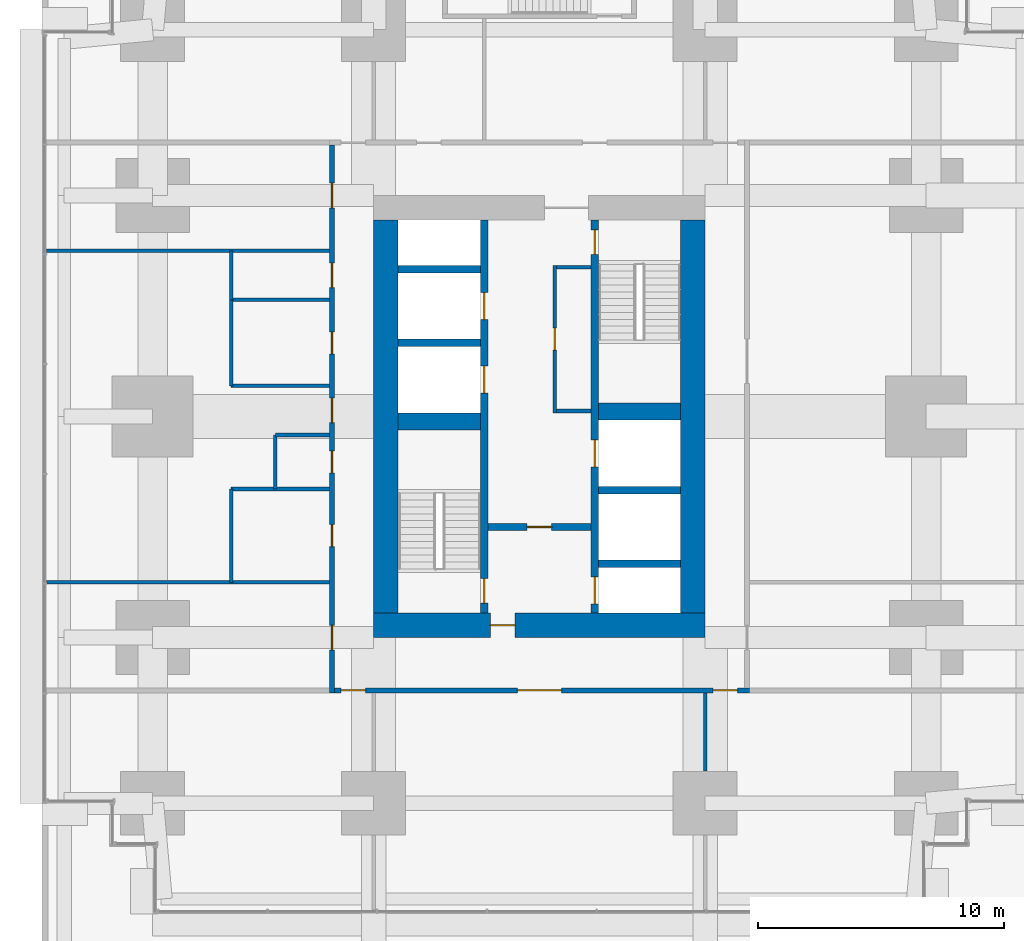
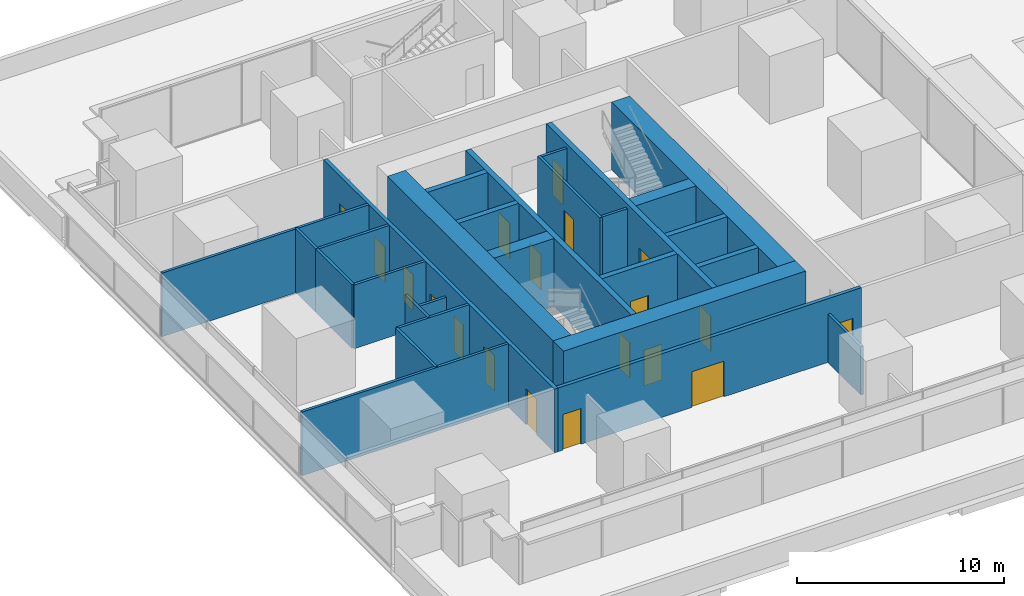
# One storey, part 24 of 34: 28 walls, 19 doors, 19 openings.
"""IFC4 building model written with IfcOpenShell, lengths in metres."""

import ifcopenshell
import ifcopenshell.guid

model = None  # the IFC model being written
_history = None  # IfcOwnerHistory: only IFC2X3 demands one
_inside = {}  # id of a spatial element -> (the spatial element, [elements in it])
_under = {}  # id of a project, library or spatial element -> (it, [spatial elements below it])
_declared = {}  # id of a project -> (the project, [libraries it declares])
_typed = {}  # id of a type object -> (the type object, [elements of that type])
_made_of = {}  # id of a material, layer set ... -> (it, [elements and type objects made of it])


def new_model(schema):
    """Start an empty IFC model of exactly this schema.

    Asked for "IFC4X3", IfcOpenShell would pick the latest addendum, in which some entities
    have other attributes; the version numbers below select the first issue.
    IFC2X3 requires an IfcOwnerHistory on every rooted entity: one is made here for all.
    """
    global model, _history
    if schema == "IFC4X3":
        model = ifcopenshell.file(schema_version=(4, 3, 0, 0))
    else:
        model = ifcopenshell.file(schema=schema)
    _inside.clear()
    _under.clear()
    _declared.clear()
    _typed.clear()
    _made_of.clear()
    _history = None
    if model.schema == "IFC2X3":
        org = make("IfcOrganization", Name="unknown")
        user = make(
            "IfcPersonAndOrganization",
            ThePerson=make("IfcPerson", FamilyName="unknown"),
            TheOrganization=org,
        )
        app = make(
            "IfcApplication",
            ApplicationDeveloper=org,
            Version="unknown",
            ApplicationFullName="unknown",
            ApplicationIdentifier="unknown",
        )
        _history = make(
            "IfcOwnerHistory",
            OwningUser=user,
            OwningApplication=app,
            ChangeAction="ADDED",
            CreationDate=0,
        )
    return model


def make(cls, **values):
    """One entity of the class cls with the attributes given. An attribute that is None is left unset."""
    return model.create_entity(
        cls, **{name: value for name, value in values.items() if value is not None}
    )


def rooted(cls, **values):
    """An entity with a GlobalId (a new one), such as an element, a storey or a relation."""
    return make(cls, GlobalId=ifcopenshell.guid.new(), OwnerHistory=_history, **values)


def si_unit(unit_type, name, prefix=None):
    """IfcSIUnit, for example si_unit("LENGTHUNIT", "METRE", prefix="MILLI")."""
    return make("IfcSIUnit", UnitType=unit_type, Prefix=prefix, Name=name)


def assignment(units):
    """IfcUnitAssignment: the units of a project."""
    return None if units is None else make("IfcUnitAssignment", Units=units)


def point(xyz):
    """IfcCartesianPoint."""
    return None if xyz is None else make("IfcCartesianPoint", Coordinates=xyz)


def direction(xyz):
    """IfcDirection."""
    return None if xyz is None else make("IfcDirection", DirectionRatios=xyz)


def frame(location, z_axis=None, x_axis=None):
    """IfcAxis2Placement3D, a coordinate frame: its origin and axes. An axis left out is left unset."""
    return make(
        "IfcAxis2Placement3D",
        Location=point(location),
        Axis=direction(z_axis),
        RefDirection=direction(x_axis),
    )


def frame_2d(location, x_axis=None):
    """IfcAxis2Placement2D, a coordinate frame in the plane: its origin and x axis."""
    return make(
        "IfcAxis2Placement2D", Location=point(location), RefDirection=direction(x_axis)
    )


def origin():
    """The frame at (0, 0, 0) with its axes left unset."""
    return frame((0.0, 0.0, 0.0))


def place(relative_to, where):
    """IfcLocalPlacement: puts the frame where relative to a parent placement (None: the world)."""
    return make(
        "IfcLocalPlacement", PlacementRelTo=relative_to, RelativePlacement=where
    )


def context(
    kind, dimensions, precision=None, world=None, true_north=None, identifier=None
):
    """IfcGeometricRepresentationContext, for example the 3D "Model" context."""
    return make(
        "IfcGeometricRepresentationContext",
        ContextIdentifier=identifier,
        ContextType=kind,
        CoordinateSpaceDimension=dimensions,
        Precision=precision,
        WorldCoordinateSystem=world,
        TrueNorth=true_north,
    )


def subcontext(parent, identifier, kind, view, scale=None):
    """IfcGeometricRepresentationSubContext, for example "Body" below "Model"."""
    return make(
        "IfcGeometricRepresentationSubContext",
        ContextIdentifier=identifier,
        ContextType=kind,
        ParentContext=parent,
        TargetScale=scale,
        TargetView=view,
    )


def project(units=None, contexts=None):
    """IfcProject with its units and contexts."""
    return rooted(
        "IfcProject",
        Name="project",
        RepresentationContexts=contexts,
        UnitsInContext=assignment(units),
    )


def spatial(cls, under=None, at=None, **own):
    """A site, building, storey or space (cls), placed at a placement, below another one or the project."""
    s = rooted(cls, ObjectPlacement=at, **own)
    if under is not None:
        _under.setdefault(under.id(), (under, []))[1].append(s)
    return s


def profile(cls, at=None, kind="AREA", **sizes):
    """A parametric profile (cls). Its sizes go by their IFC names, for example OverallWidth=200.0."""
    return make(cls, ProfileType=kind, Position=at, **sizes)


def rectangle(**sizes):
    """IfcRectangleProfileDef."""
    return profile("IfcRectangleProfileDef", **sizes)


def extrude(swept, where, along, depth):
    """IfcExtrudedAreaSolid: the profile swept, set in the frame where, extruded along a direction by depth."""
    return make(
        "IfcExtrudedAreaSolid",
        SweptArea=swept,
        Position=where,
        ExtrudedDirection=direction(along),
        Depth=depth,
    )


def shape(context_of_items, identifier, shape_type, items):
    """IfcShapeRepresentation: the items that make up one representation, for example the "Body"."""
    return make(
        "IfcShapeRepresentation",
        ContextOfItems=context_of_items,
        RepresentationIdentifier=identifier,
        RepresentationType=shape_type,
        Items=items,
    )


def material(Name=None, Category=None):
    """IfcMaterial."""
    return make("IfcMaterial", Name=Name, Category=Category)


def layer(
    of_material, thickness, ventilated=None, Name=None, Category=None, Priority=None
):
    """IfcMaterialLayer: one layer of a wall or slab, of a material (None: an air gap)."""
    return make(
        "IfcMaterialLayer",
        Material=of_material,
        LayerThickness=thickness,
        IsVentilated=ventilated,
        Name=Name,
        Category=Category,
        Priority=Priority,
    )


def layer_set(layers, Name=None):
    """IfcMaterialLayerSet."""
    return make("IfcMaterialLayerSet", MaterialLayers=layers, LayerSetName=Name)


def made_of(thing, what):
    """Note that an element or type object is made of a material, layer set ...; save() writes the relation."""
    if what is not None:
        _made_of.setdefault(what.id(), (what, []))[1].append(thing)
    return thing


def type_object(cls, material=None, **own):
    """A type object (cls), such as IfcWallType, which elements share."""
    return made_of(rooted(cls, **own), material)


def element(
    cls,
    number,
    at=None,
    inside=None,
    cuts=None,
    type_object=None,
    material=None,
    context=None,
    identifier="Body",
    shape_type=None,
    held_by="IfcProductDefinitionShape",
    body=None,
    shapes=None,
    **own,
):
    """One element of the class cls, such as IfcWall. Its Tag is "e" and its number.

    at: its placement. inside: the storey or other place that contains it. cuts: it is an
    opening in that element (IfcRelVoidsElement). A single representation is given by context,
    identifier, shape_type and body (its items); several are given by shapes. held_by: the class
    of the entity that holds the representations. save() writes the other relations.
    """
    e = rooted(cls, Tag="e%d" % number, ObjectPlacement=at, **own)
    if body is not None:
        shapes = [shape(context, identifier, shape_type, body)]
    if shapes is not None:
        e.Representation = make(held_by, Representations=shapes)
    if inside is not None:
        _inside.setdefault(inside.id(), (inside, []))[1].append(e)
    if cuts is not None:
        rooted(
            "IfcRelVoidsElement", RelatingBuildingElement=cuts, RelatedOpeningElement=e
        )
    if type_object is not None:
        _typed.setdefault(type_object.id(), (type_object, []))[1].append(e)
    return made_of(e, material)


def fill(opening, filler):
    """IfcRelFillsElement: the door or window that sits in an opening."""
    return rooted(
        "IfcRelFillsElement",
        RelatingOpeningElement=opening,
        RelatedBuildingElement=filler,
    )


def aggregate(whole, parts):
    """IfcRelAggregates: a whole, such as a stair, and the parts it consists of."""
    return rooted("IfcRelAggregates", RelatingObject=whole, RelatedObjects=parts)


def save(model, path):
    """Write the relations noted so far, then the file.

    IfcRelAggregates (storeys below a building ...), IfcRelContainedInSpatialStructure (elements
    in a storey), IfcRelDefinesByType, IfcRelAssociatesMaterial and IfcRelDeclares: one each for
    every whole, place, type object, material and project.
    """
    for whole, parts in _under.values():
        aggregate(whole, parts)
    for where, things in _inside.values():
        rooted(
            "IfcRelContainedInSpatialStructure",
            RelatedElements=things,
            RelatingStructure=where,
        )
    for kind, things in _typed.values():
        rooted("IfcRelDefinesByType", RelatedObjects=things, RelatingType=kind)
    for what, things in _made_of.values():
        rooted("IfcRelAssociatesMaterial", RelatedObjects=things, RelatingMaterial=what)
    for by, libraries in _declared.values():
        rooted("IfcRelDeclares", RelatingContext=by, RelatedDefinitions=libraries)
    model.write(path)


model = new_model("IFC4")

# Units and contexts
model_context = context("Model", 3, precision=1e-05, world=origin(), true_north=direction((0.0, 1.0)))
body_context = subcontext(model_context, "Body", "Model", "MODEL_VIEW")
ifc_project = project(units=[si_unit("LENGTHUNIT", "METRE"), si_unit("AREAUNIT", "SQUARE_METRE"), si_unit("VOLUMEUNIT", "CUBIC_METRE"), si_unit("PLANEANGLEUNIT", "RADIAN"), si_unit("MASSUNIT", "GRAM", prefix="KILO")], contexts=[model_context])

# Site, building, storey
site_placement = place(None, origin())
site = spatial("IfcSite", under=ifc_project, at=site_placement, CompositionType="ELEMENT")
building_placement = place(site_placement, origin())
building = spatial("IfcBuilding", under=site, at=building_placement, Name="Namib Vertical Campus", CompositionType="ELEMENT")
storey_placement = place(building_placement, frame((0.0, 0.0, 21.0)))
storey = spatial("IfcBuildingStorey", under=building, at=storey_placement, Name="L04", CompositionType="ELEMENT", Elevation=21.0)

# Wall, openings, doors
ifc_material_1 = material(Name="Concrete C60/75", Category="concrete")
ifc_layer_1 = layer(ifc_material_1, 0.300048828125)
ifc_layer_set_1 = layer_set([ifc_layer_1], Name="Concrete C60/75")
wall_type_1 = type_object("IfcWallType", Name="Core inner wall 300", PredefinedType="SHEAR", material=ifc_layer_set_1)
wall_1_placement = place(storey_placement, frame((18.0, 12.25, 0.0), z_axis=(0.0, 0.0, 1.0), x_axis=(0.0, 1.0, 0.0)))
wall_1 = element("IfcWall", 1, at=wall_1_placement, inside=storey, type_object=wall_type_1, Name="Core inner wall A L04 W1", PredefinedType="SHEAR", context=body_context, shape_type="SweptSolid", body=[
    extrude(rectangle(XDim=16.0, YDim=0.300048828125, at=frame_2d((8.0, 0.0))), origin(), (0.0, 0.0, 1.0), 4.0),
])
opening_1_placement = place(wall_1_placement, frame((0.39990234375, 0.0, 0.0)))
opening_1 = element("IfcOpeningElement", 2, at=opening_1_placement, cuts=wall_1, Name="Opening FD1", PredefinedType="OPENING", context=body_context, shape_type="SweptSolid", body=[
    extrude(rectangle(XDim=1.0, YDim=2.10009765625, at=frame_2d((0.5, 1.050048828125))), frame((0.0, 0.159912109375, 0.0), z_axis=(0.0, -1.0, 0.0), x_axis=(1.0, 0.0, 0.0)), (0.0, 0.0, 1.0), 0.320068359375),
])
opening_2_placement = place(wall_1_placement, frame((8.949951171875, 0.0, 0.0)))
opening_2 = element("IfcOpeningElement", 3, at=opening_2_placement, cuts=wall_1, Name="Opening LD1", PredefinedType="OPENING", context=body_context, shape_type="SweptSolid", body=[
    extrude(rectangle(XDim=1.10009765625, YDim=2.10009765625, at=frame_2d((0.550048828125, 1.050048828125))), frame((0.0, 0.159912109375, 0.0), z_axis=(0.0, -1.0, 0.0), x_axis=(1.0, 0.0, 0.0)), (0.0, 0.0, 1.0), 0.320068359375),
])
opening_3_placement = place(wall_1_placement, frame((11.949951171875, 0.0, 0.0)))
opening_3 = element("IfcOpeningElement", 4, at=opening_3_placement, cuts=wall_1, Name="Opening LD1", PredefinedType="OPENING", context=body_context, shape_type="SweptSolid", body=[
    extrude(rectangle(XDim=1.10009765625, YDim=2.10009765625, at=frame_2d((0.550048828125, 1.050048828125))), frame((0.0, 0.159912109375, 0.0), z_axis=(0.0, -1.0, 0.0), x_axis=(1.0, 0.0, 0.0)), (0.0, 0.0, 1.0), 0.320068359375),
])
ifc_material_2 = material(Name="Steel fire door", Category="steel")
door_type_1 = type_object("IfcDoorType", Name="Fire door 1000x2100", OperationType="SINGLE_SWING_RIGHT", PredefinedType="DOOR", material=ifc_material_2)
door_1_placement = place(opening_1_placement, origin())
door_1 = element("IfcDoor", 5, at=door_1_placement, inside=storey, type_object=door_type_1, Name="Stair door FD1 A L04 S1", OperationType="SINGLE_SWING_LEFT", OverallHeight=2.10009765625, OverallWidth=1.0, PredefinedType="DOOR", context=body_context, shape_type="SweptSolid", body=[
    extrude(rectangle(XDim=1.0, YDim=2.10009765625, at=frame_2d((0.5, 1.050048828125))), frame((0.0, 0.02490234375, 0.0), z_axis=(0.0, -1.0, 0.0), x_axis=(1.0, 0.0, 0.0)), (0.0, 0.0, 1.0), 0.050048828125),
])
fill(opening_1, door_1)
ifc_material_3 = material(Name="Stainless steel lift door", Category="steel")
door_type_2 = type_object("IfcDoorType", Name="Lift landing door 1100x2100", OperationType="DOUBLE_DOOR_SLIDING", PredefinedType="DOOR", material=ifc_material_3)
door_2_placement = place(opening_2_placement, origin())
door_2 = element("IfcDoor", 6, at=door_2_placement, inside=storey, type_object=door_type_2, Name="Lift landing door LD1 A-P1 L04", OperationType="DOUBLE_DOOR_SLIDING", OverallHeight=2.10009765625, OverallWidth=1.10009765625, PredefinedType="DOOR", context=body_context, shape_type="SweptSolid", body=[
    extrude(rectangle(XDim=1.10009765625, YDim=2.10009765625, at=frame_2d((0.550048828125, 1.050048828125))), frame((0.0, 0.02490234375, 0.0), z_axis=(0.0, -1.0, 0.0), x_axis=(1.0, 0.0, 0.0)), (0.0, 0.0, 1.0), 0.050048828125),
])
fill(opening_2, door_2)
door_3_placement = place(opening_3_placement, origin())
door_3 = element("IfcDoor", 7, at=door_3_placement, inside=storey, type_object=door_type_2, Name="Lift landing door LD1 A-P2 L04", OperationType="DOUBLE_DOOR_SLIDING", OverallHeight=2.10009765625, OverallWidth=1.10009765625, PredefinedType="DOOR", context=body_context, shape_type="SweptSolid", body=[
    extrude(rectangle(XDim=1.10009765625, YDim=2.10009765625, at=frame_2d((0.550048828125, 1.050048828125))), frame((0.0, 0.02490234375, 0.0), z_axis=(0.0, -1.0, 0.0), x_axis=(1.0, 0.0, 0.0)), (0.0, 0.0, 1.0), 0.050048828125),
])
fill(opening_3, door_3)

wall_2_placement = place(storey_placement, frame((22.5, 12.25, 0.0), z_axis=(0.0, 0.0, 1.0), x_axis=(0.0, 1.0, 0.0)))
wall_2 = element("IfcWall", 8, at=wall_2_placement, inside=storey, type_object=wall_type_1, Name="Core inner wall A L04 W2", PredefinedType="SHEAR", context=body_context, shape_type="SweptSolid", body=[
    extrude(rectangle(XDim=16.0, YDim=0.300048828125, at=frame_2d((8.0, 0.0))), origin(), (0.0, 0.0, 1.0), 4.0),
])
opening_4_placement = place(wall_2_placement, frame((14.60009765625, 0.0, 0.0)))
opening_4 = element("IfcOpeningElement", 9, at=opening_4_placement, cuts=wall_2, Name="Opening FD1", PredefinedType="OPENING", context=body_context, shape_type="SweptSolid", body=[
    extrude(rectangle(XDim=1.0, YDim=2.10009765625, at=frame_2d((0.5, 1.050048828125))), frame((0.0, 0.159912109375, 0.0), z_axis=(0.0, -1.0, 0.0), x_axis=(1.0, 0.0, 0.0)), (0.0, 0.0, 1.0), 0.320068359375),
])
opening_5_placement = place(wall_2_placement, frame((0.375, 0.0, 0.0)))
opening_5 = element("IfcOpeningElement", 10, at=opening_5_placement, cuts=wall_2, Name="Opening LD1", PredefinedType="OPENING", context=body_context, shape_type="SweptSolid", body=[
    extrude(rectangle(XDim=1.10009765625, YDim=2.10009765625, at=frame_2d((0.550048828125, 1.050048828125))), frame((0.0, 0.159912109375, 0.0), z_axis=(0.0, -1.0, 0.0), x_axis=(1.0, 0.0, 0.0)), (0.0, 0.0, 1.0), 0.320068359375),
])
opening_6_placement = place(wall_2_placement, frame((5.949951171875, 0.0, 0.0)))
opening_6 = element("IfcOpeningElement", 11, at=opening_6_placement, cuts=wall_2, Name="Opening LD1", PredefinedType="OPENING", context=body_context, shape_type="SweptSolid", body=[
    extrude(rectangle(XDim=1.10009765625, YDim=2.10009765625, at=frame_2d((0.550048828125, 1.050048828125))), frame((0.0, 0.159912109375, 0.0), z_axis=(0.0, -1.0, 0.0), x_axis=(1.0, 0.0, 0.0)), (0.0, 0.0, 1.0), 0.320068359375),
])
door_4_placement = place(opening_4_placement, frame((1.0, 0.0, 0.0), z_axis=(0.0, 0.0, 1.0), x_axis=(-1.0, 0.0, 0.0)))
door_4 = element("IfcDoor", 12, at=door_4_placement, inside=storey, type_object=door_type_1, Name="Stair door FD1 A L04 S2", OperationType="SINGLE_SWING_LEFT", OverallHeight=2.10009765625, OverallWidth=1.0, PredefinedType="DOOR", context=body_context, shape_type="SweptSolid", body=[
    extrude(rectangle(XDim=1.0, YDim=2.10009765625, at=frame_2d((0.5, 1.050048828125))), frame((0.0, 0.02490234375, 0.0), z_axis=(0.0, -1.0, 0.0), x_axis=(1.0, 0.0, 0.0)), (0.0, 0.0, 1.0), 0.050048828125),
])
fill(opening_4, door_4)
door_5_placement = place(opening_5_placement, origin())
door_5 = element("IfcDoor", 13, at=door_5_placement, inside=storey, type_object=door_type_2, Name="Lift landing door LD1 A-FL1 L04", OperationType="DOUBLE_DOOR_SLIDING", OverallHeight=2.10009765625, OverallWidth=1.10009765625, PredefinedType="DOOR", context=body_context, shape_type="SweptSolid", body=[
    extrude(rectangle(XDim=1.10009765625, YDim=2.10009765625, at=frame_2d((0.550048828125, 1.050048828125))), frame((0.0, 0.02490234375, 0.0), z_axis=(0.0, -1.0, 0.0), x_axis=(1.0, 0.0, 0.0)), (0.0, 0.0, 1.0), 0.050048828125),
])
fill(opening_5, door_5)
door_6_placement = place(opening_6_placement, origin())
door_6 = element("IfcDoor", 14, at=door_6_placement, inside=storey, type_object=door_type_2, Name="Lift landing door LD1 A-P5 L04", OperationType="DOUBLE_DOOR_SLIDING", OverallHeight=2.10009765625, OverallWidth=1.10009765625, PredefinedType="DOOR", context=body_context, shape_type="SweptSolid", body=[
    extrude(rectangle(XDim=1.10009765625, YDim=2.10009765625, at=frame_2d((0.550048828125, 1.050048828125))), frame((0.0, 0.02490234375, 0.0), z_axis=(0.0, -1.0, 0.0), x_axis=(1.0, 0.0, 0.0)), (0.0, 0.0, 1.0), 0.050048828125),
])
fill(opening_6, door_6)

# Wall, opening, door
wall_3_placement = place(storey_placement, frame((18.14990234375, 15.75, 0.0), z_axis=(0.0, 0.0, 1.0), x_axis=(1.0, 0.0, 0.0)))
wall_3 = element("IfcWall", 15, at=wall_3_placement, inside=storey, type_object=wall_type_1, Name="Core inner wall A L04 W4", PredefinedType="SHEAR", context=body_context, shape_type="SweptSolid", body=[
    extrude(rectangle(XDim=4.2001953125, YDim=0.300048828125, at=frame_2d((2.10009765625, 0.0))), origin(), (0.0, 0.0, 1.0), 4.0),
])
opening_7_placement = place(wall_3_placement, frame((1.60009765625, 0.0, 0.0)))
opening_7 = element("IfcOpeningElement", 16, at=opening_7_placement, cuts=wall_3, Name="Opening FD5", PredefinedType="OPENING", context=body_context, shape_type="SweptSolid", body=[
    extrude(rectangle(XDim=1.0, YDim=2.10009765625, at=frame_2d((0.5, 1.050048828125))), frame((0.0, 0.159912109375, 0.0), z_axis=(0.0, -1.0, 0.0), x_axis=(1.0, 0.0, 0.0)), (0.0, 0.0, 1.0), 0.320068359375),
])
ifc_material_4 = material(Name="Steel fire door", Category="steel")
door_type_3 = type_object("IfcDoorType", Name="Fire door 1000x2100 120 min", OperationType="SINGLE_SWING_RIGHT", PredefinedType="DOOR", material=ifc_material_4)
door_7_placement = place(opening_7_placement, frame((1.0, 0.0, 0.0), z_axis=(0.0, 0.0, 1.0), x_axis=(-1.0, 0.0, 0.0)))
door_7 = element("IfcDoor", 17, at=door_7_placement, inside=storey, type_object=door_type_3, Name="Lobby door FD5 A L04", OperationType="SINGLE_SWING_RIGHT", OverallHeight=2.10009765625, OverallWidth=1.0, PredefinedType="DOOR", context=body_context, shape_type="SweptSolid", body=[
    extrude(rectangle(XDim=1.0, YDim=2.10009765625, at=frame_2d((0.5, 1.050048828125))), frame((0.0, 0.02490234375, 0.0), z_axis=(0.0, -1.0, 0.0), x_axis=(1.0, 0.0, 0.0)), (0.0, 0.0, 1.0), 0.050048828125),
])
fill(opening_7, door_7)

# Walls
for number, where, z_axis, x_axis, name in (
    (18, (22.64990234375, 14.25, 0.0), (0.0, 0.0, 1.0), (1.0, 0.0, 0.0), "Core inner wall A L04 W5"),
    (19, (22.64990234375, 17.25, 0.0), (0.0, 0.0, 1.0), (1.0, 0.0, 0.0), "Core inner wall A L04 W6"),
    (20, (14.5, 23.25, 0.0), (0.0, 0.0, 1.0), (1.0, 0.0, 0.0), "Core inner wall A L04 W8"),
    (21, (14.5, 26.25, 0.0), (0.0, 0.0, 1.0), (1.0, 0.0, 0.0), "Core inner wall A L04 W9"),
):
    element("IfcWall", number, at=place(storey_placement, frame(where, z_axis=z_axis, x_axis=x_axis)), inside=storey, type_object=wall_type_1, Name=name, PredefinedType="SHEAR", context=body_context, shape_type="SweptSolid", body=[
        extrude(rectangle(XDim=3.35009765625, YDim=0.300048828125, at=frame_2d((1.675048828125, 0.0))), origin(), (0.0, 0.0, 1.0), 4.0),
    ])
ifc_material_5 = material(Name="Concrete C60/75", Category="concrete")
ifc_layer_2 = layer(ifc_material_5, 0.699951171875)
ifc_layer_set_2 = layer_set([ifc_layer_2], Name="Concrete C60/75")
wall_type_2 = type_object("IfcWallType", Name="Core shear wall 700", PredefinedType="SHEAR", material=ifc_layer_set_2)
for number, where, z_axis, x_axis, name in (
    (22, (14.5, 20.050048828125, 0.0), (0.0, 0.0, 1.0), (1.0, 0.0, 0.0), "Core shear wall A L04 W3"),
    (23, (22.64990234375, 20.449951171875, 0.0), (0.0, 0.0, 1.0), (1.0, 0.0, 0.0), "Core shear wall A L04 W7"),
):
    element("IfcWall", number, at=place(storey_placement, frame(where, z_axis=z_axis, x_axis=x_axis)), inside=storey, type_object=wall_type_2, Name=name, PredefinedType="SHEAR", context=body_context, shape_type="SweptSolid", body=[
        extrude(rectangle(XDim=3.35009765625, YDim=0.699951171875, at=frame_2d((1.675048828125, 0.0))), origin(), (0.0, 0.0, 1.0), 4.0),
    ])

# Wall, opening, door
ifc_material_6 = material(Name="Concrete C60/75", Category="concrete")
ifc_layer_3 = layer(ifc_material_6, 1.0)
ifc_layer_set_3 = layer_set([ifc_layer_3], Name="Concrete C60/75")
wall_type_3 = type_object("IfcWallType", Name="Core wall 1000", PredefinedType="SHEAR", material=ifc_layer_set_3)
wall_4_placement = place(storey_placement, frame((13.5, 11.75, 0.0), z_axis=(0.0, 0.0, 1.0), x_axis=(1.0, 0.0, 0.0)))
wall_4 = element("IfcWall", 24, at=wall_4_placement, inside=storey, type_object=wall_type_3, Name="Core wall A L04 1", PredefinedType="SHEAR", context=body_context, shape_type="SweptSolid", body=[
    extrude(rectangle(XDim=13.5, YDim=1.0, at=frame_2d((6.75, 0.0))), origin(), (0.0, 0.0, 1.0), 4.0),
])
opening_8_placement = place(wall_4_placement, frame((4.75, 0.0, 0.0)))
opening_8 = element("IfcOpeningElement", 25, at=opening_8_placement, cuts=wall_4, Name="Opening FD5", PredefinedType="OPENING", context=body_context, shape_type="SweptSolid", body=[
    extrude(rectangle(XDim=1.0, YDim=2.10009765625, at=frame_2d((0.5, 1.050048828125))), frame((0.0, 0.510009765625, 0.0), z_axis=(0.0, -1.0, 0.0), x_axis=(1.0, 0.0, 0.0)), (0.0, 0.0, 1.0), 1.02001953125),
])
door_8_placement = place(opening_8_placement, origin())
door_8 = element("IfcDoor", 26, at=door_8_placement, inside=storey, type_object=door_type_3, Name="Firefighting lobby door FD5 A L04", OperationType="SINGLE_SWING_LEFT", OverallHeight=2.10009765625, OverallWidth=1.0, PredefinedType="DOOR", context=body_context, shape_type="SweptSolid", body=[
    extrude(rectangle(XDim=1.0, YDim=2.10009765625, at=frame_2d((0.5, 1.050048828125))), frame((0.0, 0.02490234375, 0.0), z_axis=(0.0, -1.0, 0.0), x_axis=(1.0, 0.0, 0.0)), (0.0, 0.0, 1.0), 0.050048828125),
])
fill(opening_8, door_8)

# Walls
for number, where, z_axis, x_axis, name in (
    (27, (26.5, 12.25, 0.0), (0.0, 0.0, 1.0), (0.0, 1.0, 0.0), "Core wall A L04 2"),
    (28, (14.0, 28.25, 0.0), (0.0, 0.0, 1.0), (0.0, -1.0, 0.0), "Core wall A L04 4"),
):
    element("IfcWall", number, at=place(storey_placement, frame(where, z_axis=z_axis, x_axis=x_axis)), inside=storey, type_object=wall_type_3, Name=name, PredefinedType="SHEAR", context=body_context, shape_type="SweptSolid", body=[
        extrude(rectangle(XDim=16.0, YDim=1.0, at=frame_2d((8.0, 0.0))), origin(), (0.0, 0.0, 1.0), 4.0),
    ])

# Wall, openings, doors
ifc_material_7 = material(Name="Concrete masonry", Category="masonry")
ifc_layer_4 = layer(ifc_material_7, 0.199951171875)
ifc_layer_set_4 = layer_set([ifc_layer_4], Name="Corridor wall 200")
wall_type_4 = type_object("IfcWallType", Name="Corridor wall 200", PredefinedType="SOLIDWALL", material=ifc_layer_set_4)
wall_5_placement = place(storey_placement, frame((11.89990234375, 9.10009765625, 0.0), z_axis=(0.0, 0.0, 1.0), x_axis=(1.0, 0.0, 0.0)))
wall_5 = element("IfcWall", 29, at=wall_5_placement, inside=storey, type_object=wall_type_4, Name="Corridor wall A L04 CS", PredefinedType="SOLIDWALL", context=body_context, shape_type="SweptSolid", body=[
    extrude(rectangle(XDim=16.900146484375, YDim=0.199951171875, at=frame_2d((8.4501953125, 0.0))), origin(), (0.0, 0.0, 1.0), 3.75),
])
opening_9_placement = place(wall_5_placement, frame((0.27490234375, 0.0, 0.0)))
opening_9 = element("IfcOpeningElement", 30, at=opening_9_placement, cuts=wall_5, Name="Opening CD1", PredefinedType="OPENING", context=body_context, shape_type="SweptSolid", body=[
    extrude(rectangle(XDim=1.0, YDim=2.10009765625, at=frame_2d((0.5, 1.050048828125))), frame((0.0, 0.10986328125, 0.0), z_axis=(0.0, -1.0, 0.0), x_axis=(1.0, 0.0, 0.0)), (0.0, 0.0, 1.0), 0.219970703125),
])
opening_10_placement = place(wall_5_placement, frame((7.449951171875, 0.0, 0.0)))
opening_10 = element("IfcOpeningElement", 31, at=opening_10_placement, cuts=wall_5, Name="Opening CD2", PredefinedType="OPENING", context=body_context, shape_type="SweptSolid", body=[
    extrude(rectangle(XDim=1.800048828125, YDim=2.10009765625, at=frame_2d((0.89990234375, 1.050048828125))), frame((0.0, 0.10986328125, 0.0), z_axis=(0.0, -1.0, 0.0), x_axis=(1.0, 0.0, 0.0)), (0.0, 0.0, 1.0), 0.219970703125),
])
opening_11_placement = place(wall_5_placement, frame((15.425048828125, 0.0, 0.0)))
opening_11 = element("IfcOpeningElement", 32, at=opening_11_placement, cuts=wall_5, Name="Opening CD1", PredefinedType="OPENING", context=body_context, shape_type="SweptSolid", body=[
    extrude(rectangle(XDim=1.0, YDim=2.10009765625, at=frame_2d((0.5, 1.050048828125))), frame((0.0, 0.10986328125, 0.0), z_axis=(0.0, -1.0, 0.0), x_axis=(1.0, 0.0, 0.0)), (0.0, 0.0, 1.0), 0.219970703125),
])
ifc_material_8 = material(Name="Timber fire door leaf", Category="wood")
door_type_4 = type_object("IfcDoorType", Name="Corridor door 1000x2100 20 min", OperationType="SINGLE_SWING_LEFT", PredefinedType="DOOR", material=ifc_material_8)
door_9_placement = place(opening_9_placement, frame((1.0, 0.0, 0.0), z_axis=(0.0, 0.0, 1.0), x_axis=(-1.0, 0.0, 0.0)))
door_9 = element("IfcDoor", 33, at=door_9_placement, inside=storey, type_object=door_type_4, Name="Door CD1 A04-01", OperationType="SINGLE_SWING_LEFT", OverallHeight=2.10009765625, OverallWidth=1.0, PredefinedType="DOOR", context=body_context, shape_type="SweptSolid", body=[
    extrude(rectangle(XDim=1.0, YDim=2.10009765625, at=frame_2d((0.5, 1.050048828125))), frame((0.0, 0.02490234375, 0.0), z_axis=(0.0, -1.0, 0.0), x_axis=(1.0, 0.0, 0.0)), (0.0, 0.0, 1.0), 0.050048828125),
])
fill(opening_9, door_9)
door_10_placement = place(opening_11_placement, frame((1.0, 0.0, 0.0), z_axis=(0.0, 0.0, 1.0), x_axis=(-1.0, 0.0, 0.0)))
door_10 = element("IfcDoor", 34, at=door_10_placement, inside=storey, type_object=door_type_4, Name="Door CD1 A04-03", OperationType="SINGLE_SWING_RIGHT", OverallHeight=2.10009765625, OverallWidth=1.0, PredefinedType="DOOR", context=body_context, shape_type="SweptSolid", body=[
    extrude(rectangle(XDim=1.0, YDim=2.10009765625, at=frame_2d((0.5, 1.050048828125))), frame((0.0, 0.02490234375, 0.0), z_axis=(0.0, -1.0, 0.0), x_axis=(1.0, 0.0, 0.0)), (0.0, 0.0, 1.0), 0.050048828125),
])
fill(opening_11, door_10)
ifc_material_9 = material(Name="Timber fire door leaf", Category="wood")
door_type_5 = type_object("IfcDoorType", Name="Corridor door double 1800x2100 20 min", OperationType="DOUBLE_DOOR_SINGLE_SWING", PredefinedType="DOOR", material=ifc_material_9)
door_11_placement = place(opening_10_placement, frame((1.800048828125, 0.0, 0.0), z_axis=(0.0, 0.0, 1.0), x_axis=(-1.0, 0.0, 0.0)))
door_11 = element("IfcDoor", 35, at=door_11_placement, inside=storey, type_object=door_type_5, Name="Door CD2 A04-02", OperationType="DOUBLE_DOOR_SINGLE_SWING", OverallHeight=2.10009765625, OverallWidth=1.800048828125, PredefinedType="DOOR", context=body_context, shape_type="SweptSolid", body=[
    extrude(rectangle(XDim=1.800048828125, YDim=2.10009765625, at=frame_2d((0.89990234375, 1.050048828125))), frame((0.0, 0.02490234375, 0.0), z_axis=(0.0, -1.0, 0.0), x_axis=(1.0, 0.0, 0.0)), (0.0, 0.0, 1.0), 0.050048828125),
])
fill(opening_10, door_11)

wall_6_placement = place(storey_placement, frame((11.800048828125, 31.300048828125, 0.0), z_axis=(0.0, 0.0, 1.0), x_axis=(0.0, -1.0, 0.0)))
wall_6 = element("IfcWall", 36, at=wall_6_placement, inside=storey, type_object=wall_type_4, Name="Corridor wall A L04 CW", PredefinedType="SOLIDWALL", context=body_context, shape_type="SweptSolid", body=[
    extrude(rectangle(XDim=22.300048828125, YDim=0.199951171875, at=frame_2d((11.14990234375, 0.0))), origin(), (0.0, 0.0, 1.0), 3.75),
])
opening_12_placement = place(wall_6_placement, frame((19.550048828125, 0.0, 0.0)))
opening_12 = element("IfcOpeningElement", 37, at=opening_12_placement, cuts=wall_6, Name="Opening CD1", PredefinedType="OPENING", context=body_context, shape_type="SweptSolid", body=[
    extrude(rectangle(XDim=1.0, YDim=2.10009765625, at=frame_2d((0.5, 1.050048828125))), frame((0.0, 0.10986328125, 0.0), z_axis=(0.0, -1.0, 0.0), x_axis=(1.0, 0.0, 0.0)), (0.0, 0.0, 1.0), 0.219970703125),
])
opening_13_placement = place(wall_6_placement, frame((15.449951171875, 0.0, 0.0)))
opening_13 = element("IfcOpeningElement", 38, at=opening_13_placement, cuts=wall_6, Name="Opening CD3", PredefinedType="OPENING", context=body_context, shape_type="SweptSolid", body=[
    extrude(rectangle(XDim=0.89990234375, YDim=2.10009765625, at=frame_2d((0.449951171875, 1.050048828125))), frame((0.0, 0.10986328125, 0.0), z_axis=(0.0, -1.0, 0.0), x_axis=(1.0, 0.0, 0.0)), (0.0, 0.0, 1.0), 0.219970703125),
])
opening_14_placement = place(wall_6_placement, frame((12.449951171875, 0.0, 0.0)))
opening_14 = element("IfcOpeningElement", 39, at=opening_14_placement, cuts=wall_6, Name="Opening CD3", PredefinedType="OPENING", context=body_context, shape_type="SweptSolid", body=[
    extrude(rectangle(XDim=0.89990234375, YDim=2.10009765625, at=frame_2d((0.449951171875, 1.050048828125))), frame((0.0, 0.10986328125, 0.0), z_axis=(0.0, -1.0, 0.0), x_axis=(1.0, 0.0, 0.0)), (0.0, 0.0, 1.0), 0.219970703125),
])
opening_15_placement = place(wall_6_placement, frame((7.60009765625, 0.0, 0.0)))
opening_15 = element("IfcOpeningElement", 40, at=opening_15_placement, cuts=wall_6, Name="Opening CD3", PredefinedType="OPENING", context=body_context, shape_type="SweptSolid", body=[
    extrude(rectangle(XDim=0.89990234375, YDim=2.10009765625, at=frame_2d((0.449951171875, 1.050048828125))), frame((0.0, 0.10986328125, 0.0), z_axis=(0.0, -1.0, 0.0), x_axis=(1.0, 0.0, 0.0)), (0.0, 0.0, 1.0), 0.219970703125),
])
opening_16_placement = place(wall_6_placement, frame((4.800048828125, 0.0, 0.0)))
opening_16 = element("IfcOpeningElement", 41, at=opening_16_placement, cuts=wall_6, Name="Opening CD1", PredefinedType="OPENING", context=body_context, shape_type="SweptSolid", body=[
    extrude(rectangle(XDim=1.0, YDim=2.10009765625, at=frame_2d((0.5, 1.050048828125))), frame((0.0, 0.10986328125, 0.0), z_axis=(0.0, -1.0, 0.0), x_axis=(1.0, 0.0, 0.0)), (0.0, 0.0, 1.0), 0.219970703125),
])
opening_17_placement = place(wall_6_placement, frame((10.300048828125, 0.0, 0.0)))
opening_17 = element("IfcOpeningElement", 42, at=opening_17_placement, cuts=wall_6, Name="Opening CD1", PredefinedType="OPENING", context=body_context, shape_type="SweptSolid", body=[
    extrude(rectangle(XDim=1.0, YDim=2.10009765625, at=frame_2d((0.5, 1.050048828125))), frame((0.0, 0.10986328125, 0.0), z_axis=(0.0, -1.0, 0.0), x_axis=(1.0, 0.0, 0.0)), (0.0, 0.0, 1.0), 0.219970703125),
])
opening_18_placement = place(wall_6_placement, frame((1.550048828125, 0.0, 0.0)))
opening_18 = element("IfcOpeningElement", 43, at=opening_18_placement, cuts=wall_6, Name="Opening CD1", PredefinedType="OPENING", context=body_context, shape_type="SweptSolid", body=[
    extrude(rectangle(XDim=1.0, YDim=2.10009765625, at=frame_2d((0.5, 1.050048828125))), frame((0.0, 0.10986328125, 0.0), z_axis=(0.0, -1.0, 0.0), x_axis=(1.0, 0.0, 0.0)), (0.0, 0.0, 1.0), 0.219970703125),
])
door_12_placement = place(opening_12_placement, frame((1.0, 0.0, 0.0), z_axis=(0.0, 0.0, 1.0), x_axis=(-1.0, 0.0, 0.0)))
door_12 = element("IfcDoor", 44, at=door_12_placement, inside=storey, type_object=door_type_4, Name="Door CD1 A04-10", OperationType="SINGLE_SWING_RIGHT", OverallHeight=2.10009765625, OverallWidth=1.0, PredefinedType="DOOR", context=body_context, shape_type="SweptSolid", body=[
    extrude(rectangle(XDim=1.0, YDim=2.10009765625, at=frame_2d((0.5, 1.050048828125))), frame((0.0, 0.02490234375, 0.0), z_axis=(0.0, -1.0, 0.0), x_axis=(1.0, 0.0, 0.0)), (0.0, 0.0, 1.0), 0.050048828125),
])
fill(opening_12, door_12)
door_13_placement = place(opening_16_placement, frame((1.0, 0.0, 0.0), z_axis=(0.0, 0.0, 1.0), x_axis=(-1.0, 0.0, 0.0)))
door_13 = element("IfcDoor", 45, at=door_13_placement, inside=storey, type_object=door_type_4, Name="Door CD1 A04-14", OperationType="SINGLE_SWING_RIGHT", OverallHeight=2.10009765625, OverallWidth=1.0, PredefinedType="DOOR", context=body_context, shape_type="SweptSolid", body=[
    extrude(rectangle(XDim=1.0, YDim=2.10009765625, at=frame_2d((0.5, 1.050048828125))), frame((0.0, 0.02490234375, 0.0), z_axis=(0.0, -1.0, 0.0), x_axis=(1.0, 0.0, 0.0)), (0.0, 0.0, 1.0), 0.050048828125),
])
fill(opening_16, door_13)
door_14_placement = place(opening_17_placement, frame((1.0, 0.0, 0.0), z_axis=(0.0, 0.0, 1.0), x_axis=(-1.0, 0.0, 0.0)))
door_14 = element("IfcDoor", 46, at=door_14_placement, inside=storey, type_object=door_type_4, Name="Door CD1 A04-15", OperationType="SINGLE_SWING_RIGHT", OverallHeight=2.10009765625, OverallWidth=1.0, PredefinedType="DOOR", context=body_context, shape_type="SweptSolid", body=[
    extrude(rectangle(XDim=1.0, YDim=2.10009765625, at=frame_2d((0.5, 1.050048828125))), frame((0.0, 0.02490234375, 0.0), z_axis=(0.0, -1.0, 0.0), x_axis=(1.0, 0.0, 0.0)), (0.0, 0.0, 1.0), 0.050048828125),
])
fill(opening_17, door_14)
door_15_placement = place(opening_18_placement, frame((1.0, 0.0, 0.0), z_axis=(0.0, 0.0, 1.0), x_axis=(-1.0, 0.0, 0.0)))
door_15 = element("IfcDoor", 47, at=door_15_placement, inside=storey, type_object=door_type_4, Name="Door CD1 A04-16", OperationType="SINGLE_SWING_RIGHT", OverallHeight=2.10009765625, OverallWidth=1.0, PredefinedType="DOOR", context=body_context, shape_type="SweptSolid", body=[
    extrude(rectangle(XDim=1.0, YDim=2.10009765625, at=frame_2d((0.5, 1.050048828125))), frame((0.0, 0.02490234375, 0.0), z_axis=(0.0, -1.0, 0.0), x_axis=(1.0, 0.0, 0.0)), (0.0, 0.0, 1.0), 0.050048828125),
])
fill(opening_18, door_15)
ifc_material_10 = material(Name="Timber fire door leaf", Category="wood")
door_type_6 = type_object("IfcDoorType", Name="Corridor toilet door 900x2100 20 min", OperationType="SINGLE_SWING_LEFT", PredefinedType="DOOR", material=ifc_material_10)
door_16_placement = place(opening_13_placement, frame((0.89990234375, 0.0, 0.0), z_axis=(0.0, 0.0, 1.0), x_axis=(-1.0, 0.0, 0.0)))
door_16 = element("IfcDoor", 48, at=door_16_placement, inside=storey, type_object=door_type_6, Name="Door CD3 A04-11", OperationType="SINGLE_SWING_RIGHT", OverallHeight=2.10009765625, OverallWidth=0.89990234375, PredefinedType="DOOR", context=body_context, shape_type="SweptSolid", body=[
    extrude(rectangle(XDim=0.89990234375, YDim=2.10009765625, at=frame_2d((0.449951171875, 1.050048828125))), frame((0.0, 0.02490234375, 0.0), z_axis=(0.0, -1.0, 0.0), x_axis=(1.0, 0.0, 0.0)), (0.0, 0.0, 1.0), 0.050048828125),
])
fill(opening_13, door_16)
door_17_placement = place(opening_14_placement, frame((0.89990234375, 0.0, 0.0), z_axis=(0.0, 0.0, 1.0), x_axis=(-1.0, 0.0, 0.0)))
door_17 = element("IfcDoor", 49, at=door_17_placement, inside=storey, type_object=door_type_6, Name="Door CD3 A04-12", OperationType="SINGLE_SWING_RIGHT", OverallHeight=2.10009765625, OverallWidth=0.89990234375, PredefinedType="DOOR", context=body_context, shape_type="SweptSolid", body=[
    extrude(rectangle(XDim=0.89990234375, YDim=2.10009765625, at=frame_2d((0.449951171875, 1.050048828125))), frame((0.0, 0.02490234375, 0.0), z_axis=(0.0, -1.0, 0.0), x_axis=(1.0, 0.0, 0.0)), (0.0, 0.0, 1.0), 0.050048828125),
])
fill(opening_14, door_17)
door_18_placement = place(opening_15_placement, frame((0.89990234375, 0.0, 0.0), z_axis=(0.0, 0.0, 1.0), x_axis=(-1.0, 0.0, 0.0)))
door_18 = element("IfcDoor", 50, at=door_18_placement, inside=storey, type_object=door_type_6, Name="Door CD3 A04-13", OperationType="SINGLE_SWING_RIGHT", OverallHeight=2.10009765625, OverallWidth=0.89990234375, PredefinedType="DOOR", context=body_context, shape_type="SweptSolid", body=[
    extrude(rectangle(XDim=0.89990234375, YDim=2.10009765625, at=frame_2d((0.449951171875, 1.050048828125))), frame((0.0, 0.02490234375, 0.0), z_axis=(0.0, -1.0, 0.0), x_axis=(1.0, 0.0, 0.0)), (0.0, 0.0, 1.0), 0.050048828125),
])
fill(opening_15, door_18)

# Wall, opening, door
ifc_material_11 = material(Name="Gypsum board on steel studs", Category="steel")
ifc_layer_5 = layer(ifc_material_11, 0.14990234375)
ifc_layer_set_5 = layer_set([ifc_layer_5], Name="Gypsum board on steel studs")
wall_type_5 = type_object("IfcWallType", Name="Partition 150", PredefinedType="PARTITIONING", material=ifc_layer_set_5)
wall_7_placement = place(storey_placement, frame((20.875, 20.39990234375, 0.0), z_axis=(0.0, 0.0, 1.0), x_axis=(0.0, 1.0, 0.0)))
wall_7 = element("IfcWall", 51, at=wall_7_placement, inside=storey, type_object=wall_type_5, Name="Partition A L04 Store front", PredefinedType="PARTITIONING", context=body_context, shape_type="SweptSolid", body=[
    extrude(rectangle(XDim=6.0, YDim=0.14990234375, at=frame_2d((3.0, 0.0))), origin(), (0.0, 0.0, 1.0), 3.75),
])
opening_19_placement = place(wall_7_placement, frame((2.550048828125, 0.0, 0.0)))
opening_19 = element("IfcOpeningElement", 52, at=opening_19_placement, cuts=wall_7, Name="Opening D3", PredefinedType="OPENING", context=body_context, shape_type="SweptSolid", body=[
    extrude(rectangle(XDim=0.89990234375, YDim=2.10009765625, at=frame_2d((0.449951171875, 1.050048828125))), frame((0.0, 0.0849609375, 0.0), z_axis=(0.0, -1.0, 0.0), x_axis=(1.0, 0.0, 0.0)), (0.0, 0.0, 1.0), 0.169921875),
])
ifc_material_12 = material(Name="Timber door leaf", Category="wood")
door_type_7 = type_object("IfcDoorType", Name="Toilet door 900x2100", OperationType="SINGLE_SWING_LEFT", PredefinedType="DOOR", material=ifc_material_12)
door_19_placement = place(opening_19_placement, frame((0.89990234375, 0.0, 0.0), z_axis=(0.0, 0.0, 1.0), x_axis=(-1.0, 0.0, 0.0)))
door_19 = element("IfcDoor", 53, at=door_19_placement, inside=storey, type_object=door_type_7, Name="Door D3 Store A L04", OperationType="SINGLE_SWING_RIGHT", OverallHeight=2.10009765625, OverallWidth=0.89990234375, PredefinedType="DOOR", context=body_context, shape_type="SweptSolid", body=[
    extrude(rectangle(XDim=0.89990234375, YDim=2.10009765625, at=frame_2d((0.449951171875, 1.050048828125))), frame((0.0, 0.02490234375, 0.0), z_axis=(0.0, -1.0, 0.0), x_axis=(1.0, 0.0, 0.0)), (0.0, 0.0, 1.0), 0.050048828125),
])
fill(opening_19, door_19)

# Walls
for number, where, z_axis, x_axis, name in (
    (54, (20.949951171875, 20.47509765625, 0.0), (0.0, 0.0, 1.0), (1.0, 0.0, 0.0), "Partition A L04 Store end 1"),
    (55, (20.949951171875, 26.324951171875, 0.0), (0.0, 0.0, 1.0), (1.0, 0.0, 0.0), "Partition A L04 Store end 2"),
):
    element("IfcWall", number, at=place(storey_placement, frame(where, z_axis=z_axis, x_axis=x_axis)), inside=storey, type_object=wall_type_5, Name=name, PredefinedType="PARTITIONING", context=body_context, shape_type="SweptSolid", body=[
        extrude(rectangle(XDim=1.400146484375, YDim=0.14990234375, at=frame_2d((0.7001953125, 0.0))), origin(), (0.0, 0.0, 1.0), 3.75),
    ])
wall_8_placement = place(storey_placement, frame((27.0, 5.820068359375, 0.0), z_axis=(0.0, 0.0, 1.0), x_axis=(0.0, 1.0, 0.0)))
element("IfcWall", 56, at=wall_8_placement, inside=storey, type_object=wall_type_5, Name="Partition A L04 PS2", PredefinedType="PARTITIONING", context=body_context, shape_type="SweptSolid", body=[
    extrude(rectangle(XDim=3.179931640625, YDim=0.14990234375, at=frame_2d((1.58984375, 0.0))), origin(), (0.0, 0.0, 1.0), 2.85009765625),
])
for number, where, z_axis, x_axis, name in (
    (57, (0.179931640625, 13.5, 0.0), (0.0, 0.0, 1.0), (1.0, 0.0, 0.0), "Partition A L04 PW1"),
    (58, (0.179931640625, 27.0, 0.0), (0.0, 0.0, 1.0), (1.0, 0.0, 0.0), "Partition A L04 PW2"),
):
    element("IfcWall", number, at=place(storey_placement, frame(where, z_axis=z_axis, x_axis=x_axis)), inside=storey, type_object=wall_type_5, Name=name, PredefinedType="PARTITIONING", context=body_context, shape_type="SweptSolid", body=[
        extrude(rectangle(XDim=11.52001953125, YDim=0.14990234375, at=frame_2d((5.760009765625, 0.0))), origin(), (0.0, 0.0, 1.0), 3.75),
    ])
wall_9_placement = place(storey_placement, frame((11.699951171875, 17.300048828125, 0.0), z_axis=(0.0, 0.0, 1.0), x_axis=(-1.0, 0.0, 0.0)))
element("IfcWall", 59, at=wall_9_placement, inside=storey, type_object=wall_type_5, Name="Partition A L04 WR1", PredefinedType="PARTITIONING", context=body_context, shape_type="SweptSolid", body=[
    extrude(rectangle(XDim=4.0, YDim=0.14990234375, at=frame_2d((2.0, 0.0))), origin(), (0.0, 0.0, 1.0), 3.75),
])
wall_10_placement = place(storey_placement, frame((11.699951171875, 19.5, 0.0), z_axis=(0.0, 0.0, 1.0), x_axis=(-1.0, 0.0, 0.0)))
element("IfcWall", 60, at=wall_10_placement, inside=storey, type_object=wall_type_5, Name="Partition A L04 WR2", PredefinedType="PARTITIONING", context=body_context, shape_type="SweptSolid", body=[
    extrude(rectangle(XDim=2.199951171875, YDim=0.14990234375, at=frame_2d((1.10009765625, 0.0))), origin(), (0.0, 0.0, 1.0), 2.85009765625),
])
for number, where, z_axis, x_axis, name in (
    (61, (11.699951171875, 21.5, 0.0), (0.0, 0.0, 1.0), (-1.0, 0.0, 0.0), "Partition A L04 WR3"),
    (62, (11.699951171875, 25.0, 0.0), (0.0, 0.0, 1.0), (-1.0, 0.0, 0.0), "Partition A L04 WR4"),
):
    element("IfcWall", number, at=place(storey_placement, frame(where, z_axis=z_axis, x_axis=x_axis)), inside=storey, type_object=wall_type_5, Name=name, PredefinedType="PARTITIONING", context=body_context, shape_type="SweptSolid", body=[
        extrude(rectangle(XDim=4.0, YDim=0.14990234375, at=frame_2d((2.0, 0.0))), origin(), (0.0, 0.0, 1.0), 3.75),
    ])
wall_11_placement = place(storey_placement, frame((7.699951171875, 13.5, 0.0), z_axis=(0.0, 0.0, 1.0), x_axis=(0.0, 1.0, 0.0)))
element("IfcWall", 63, at=wall_11_placement, inside=storey, type_object=wall_type_5, Name="Partition A L04 WB1", PredefinedType="PARTITIONING", context=body_context, shape_type="SweptSolid", body=[
    extrude(rectangle(XDim=3.800048828125, YDim=0.14990234375, at=frame_2d((1.89990234375, 0.0))), origin(), (0.0, 0.0, 1.0), 3.75),
])
wall_12_placement = place(storey_placement, frame((9.5, 17.300048828125, 0.0), z_axis=(0.0, 0.0, 1.0), x_axis=(0.0, 1.0, 0.0)))
element("IfcWall", 64, at=wall_12_placement, inside=storey, type_object=wall_type_5, Name="Partition A L04 WB2", PredefinedType="PARTITIONING", context=body_context, shape_type="SweptSolid", body=[
    extrude(rectangle(XDim=2.199951171875, YDim=0.14990234375, at=frame_2d((1.10009765625, 0.0))), origin(), (0.0, 0.0, 1.0), 3.75),
])
wall_13_placement = place(storey_placement, frame((7.699951171875, 21.5, 0.0), z_axis=(0.0, 0.0, 1.0), x_axis=(0.0, 1.0, 0.0)))
element("IfcWall", 65, at=wall_13_placement, inside=storey, type_object=wall_type_5, Name="Partition A L04 WB3", PredefinedType="PARTITIONING", context=body_context, shape_type="SweptSolid", body=[
    extrude(rectangle(XDim=3.5, YDim=0.14990234375, at=frame_2d((1.75, 0.0))), origin(), (0.0, 0.0, 1.0), 3.75),
])
wall_14_placement = place(storey_placement, frame((7.699951171875, 25.0, 0.0), z_axis=(0.0, 0.0, 1.0), x_axis=(0.0, 1.0, 0.0)))
element("IfcWall", 66, at=wall_14_placement, inside=storey, type_object=wall_type_5, Name="Partition A L04 WB4", PredefinedType="PARTITIONING", context=body_context, shape_type="SweptSolid", body=[
    extrude(rectangle(XDim=2.0, YDim=0.14990234375, at=frame_2d((1.0, 0.0))), origin(), (0.0, 0.0, 1.0), 3.75),
])

save(model, "model.ifc")
